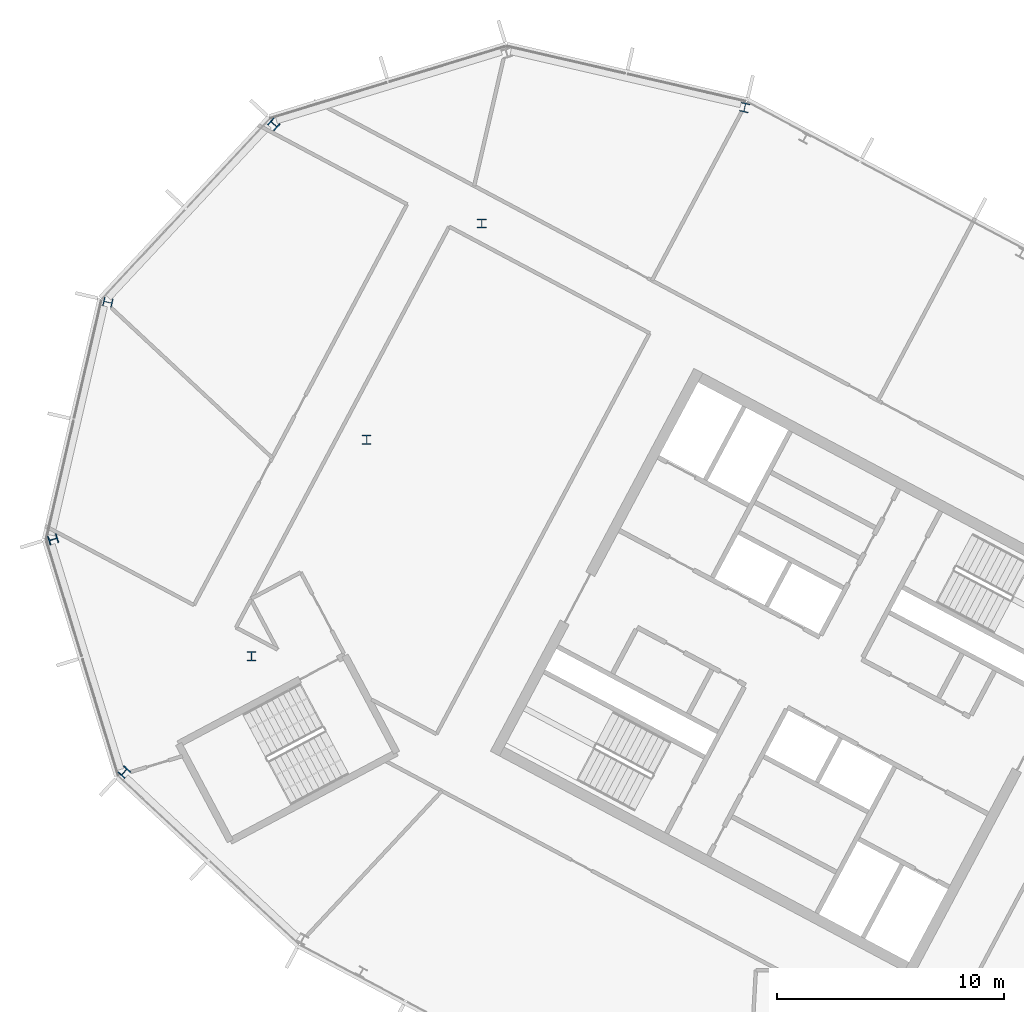
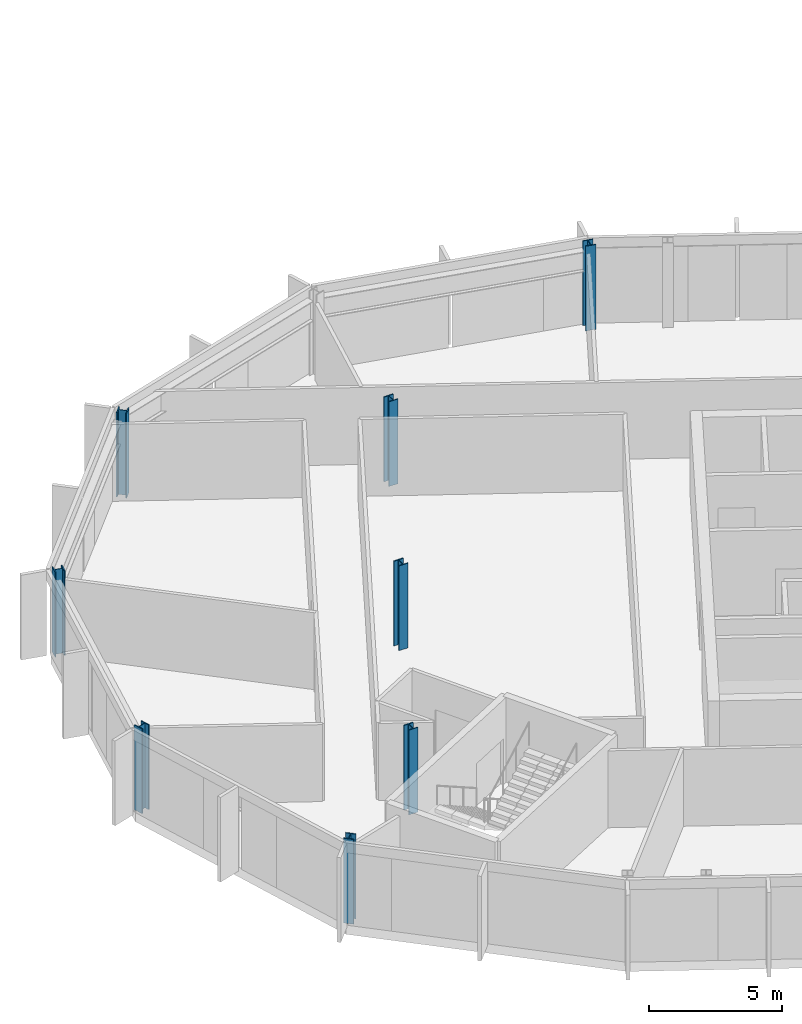
# One storey, part 3 of 26: 8 columns.
"""IFC4 building model written with IfcOpenShell, lengths in metres."""

from ifc_helpers import new_model, si_unit, direction, frame, origin, origin_2d, place, context, subcontext, project, spatial, i_section, extrude, material, material_profile, profile_set, type_object, element, save


model = new_model("IFC4")

# Units and contexts
model_context = context("Model", 3, precision=1e-05, world=origin(), true_north=direction((0.0, 1.0)))
body_context = subcontext(model_context, "Body", "Model", "MODEL_VIEW")
ifc_project = project(units=[si_unit("LENGTHUNIT", "METRE"), si_unit("AREAUNIT", "SQUARE_METRE"), si_unit("VOLUMEUNIT", "CUBIC_METRE"), si_unit("PLANEANGLEUNIT", "RADIAN"), si_unit("MASSUNIT", "GRAM", prefix="KILO")], contexts=[model_context])

# Site, building, storey
site_placement = place(None, origin())
site = spatial("IfcSite", under=ifc_project, at=site_placement, CompositionType="ELEMENT")
building_placement = place(site_placement, origin())
building = spatial("IfcBuilding", under=site, at=building_placement, Name="Cormorant Relay Tower", CompositionType="ELEMENT")
storey_placement = place(building_placement, frame((0.0, 0.0, 320.39990234375)))
storey = spatial("IfcBuildingStorey", under=building, at=storey_placement, Name="L73", CompositionType="ELEMENT", Elevation=320.39990234375)

# Columns
ifc_material = material(Name="Steel ASTM A992 (Fy 345 MPa)", Category="steel")
ifc_material_profile = material_profile(ifc_material, i_section(OverallWidth=0.40380859375, OverallDepth=0.406494140625, WebThickness=0.027099609375, FlangeThickness=0.043701171875, FilletRadius=0.01513671875, at=origin_2d()), Name="W360x347")
ifc_profile_set = profile_set([ifc_material_profile], Name="Steel ASTM A992 (Fy 345 MPa)")
column_type = type_object("IfcColumnType", Name="Column W360x347", PredefinedType="COLUMN", material=ifc_profile_set)
for number, where, z_axis, x_axis, name in (
    (1, (-57.2958984375, 10.152099609375, 0.0), (0.0, 0.0, 1.0), (0.731353701619, -0.681998360062, 0.0), "Column L73-022"),
    (2, (-51.68994140625, 15.251953125, 0.0), (0.0, 0.0, 1.0), (1.0, 0.0, 0.0), "Column L73-026"),
    (3, (-60.429931640625, 20.403076171875, 0.0), (0.0, 0.0, 1.0), (0.292371704723, -0.956304755963, 0.0), "Column L73-028"),
    (4, (-46.6201171875, 24.7880859375, 0.0), (0.0, 0.0, 1.0), (1.0, 0.0, 0.0), "Column L73-030"),
    (5, (-58.01806640625, 30.84912109375, 0.0), (0.0, 0.0, 1.0), (-0.224951054344, -0.974370064785, 0.0), "Column L73-034"),
    (6, (-41.549072265625, 34.323974609375, 0.0), (0.0, 0.0, 1.0), (1.0, 0.0, 0.0), "Column L73-037"),
    (7, (-50.70703125, 38.68896484375, 0.0), (0.0, 0.0, 1.0), (-0.681998360062, -0.731353701619, 0.0), "Column L73-041"),
    (8, (-29.965087890625, 39.425048828125, 0.0), (0.0, 0.0, 1.0), (-0.974370064785, 0.224951054344, 0.0), "Column L73-042"),
):
    element("IfcColumn", number, at=place(storey_placement, frame(where, z_axis=z_axis, x_axis=x_axis)), inside=storey, type_object=column_type, Name=name, PredefinedType="COLUMN", context=body_context, shape_type="SweptSolid", body=[
        extrude(i_section(OverallWidth=0.40380859375, OverallDepth=0.406494140625, WebThickness=0.027099609375, FlangeThickness=0.043701171875, FilletRadius=0.01513671875, at=origin_2d()), origin(), (0.0, 0.0, 1.0), 3.900146484375),
    ])

save(model, "model.ifc")
